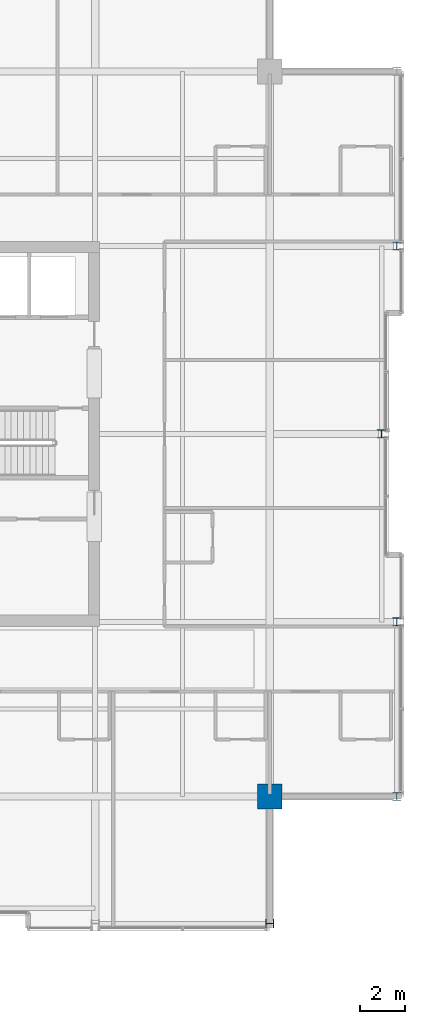
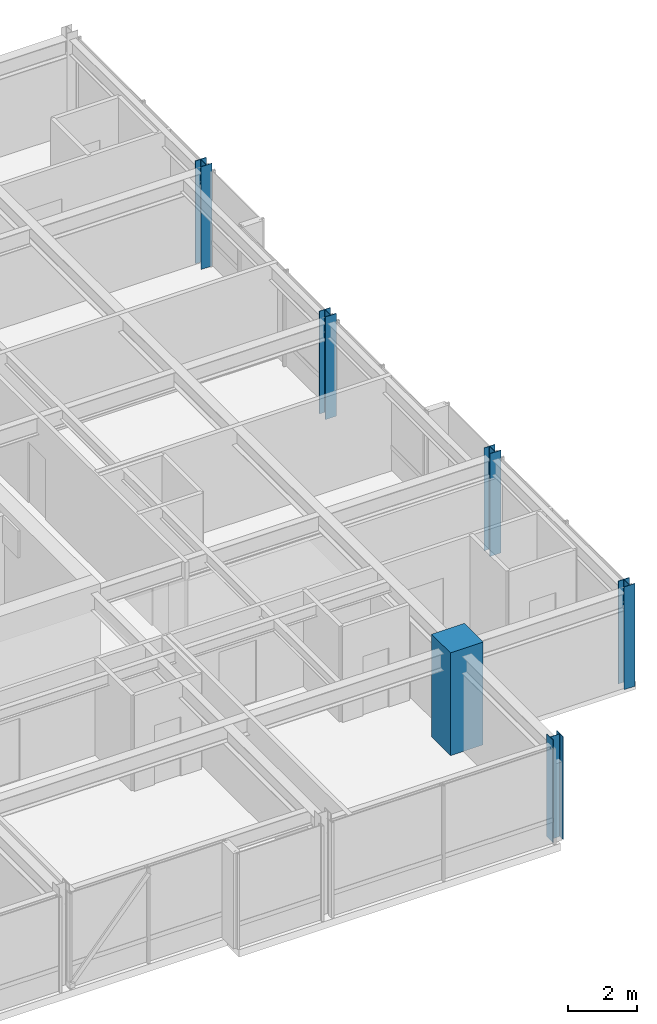
# One storey, part 2 of 34: 6 columns.
"""IFC4 building model written with IfcOpenShell, lengths in metres."""

from ifc_helpers import new_model, si_unit, direction, frame, origin, origin_2d, place, context, subcontext, project, spatial, rectangle, i_section, extrude, material, material_profile, profile_set, type_object, element, save


model = new_model("IFC4")

# Units and contexts
model_context = context("Model", 3, precision=1e-05, world=origin(), true_north=direction((0.0, 1.0)))
body_context = subcontext(model_context, "Body", "Model", "MODEL_VIEW")
ifc_project = project(units=[si_unit("LENGTHUNIT", "METRE"), si_unit("AREAUNIT", "SQUARE_METRE"), si_unit("VOLUMEUNIT", "CUBIC_METRE"), si_unit("PLANEANGLEUNIT", "RADIAN"), si_unit("MASSUNIT", "GRAM", prefix="KILO")], contexts=[model_context])

# Site, building, storey
site_placement = place(None, origin())
site = spatial("IfcSite", under=ifc_project, at=site_placement, CompositionType="ELEMENT")
building_placement = place(site_placement, origin())
building = spatial("IfcBuilding", under=site, at=building_placement, Name="Drelvath Grand Hotel", CompositionType="ELEMENT")
storey_placement = place(building_placement, frame((0.0, 0.0, 286.89990234375)))
storey = spatial("IfcBuildingStorey", under=building, at=storey_placement, Name="L75", CompositionType="ELEMENT", Elevation=286.89990234375)

# Columns
ifc_material_1 = material(Name="Concrete f'c 55 MPa", Category="concrete")
ifc_material_profile_1 = material_profile(ifc_material_1, rectangle(XDim=1.10009765625, YDim=1.10009765625, at=origin_2d()), Name="MC1100X1100")
ifc_profile_set_1 = profile_set([ifc_material_profile_1], Name="Concrete f'c 55 MPa")
column_type_1 = type_object("IfcColumnType", Name="Composite Mega Column MC1100X1100", PredefinedType="COLUMN", material=ifc_profile_set_1)
column_placement = place(storey_placement, frame((16.199951171875, 10.800048828125, 0.0), z_axis=(0.0, 0.0, 1.0), x_axis=(1.0, 0.0, 0.0)))
element("IfcColumn", 1, at=column_placement, inside=storey, type_object=column_type_1, Name="L75 Composite Mega Column MC-SE", PredefinedType="COLUMN", context=body_context, shape_type="SweptSolid", body=[
    extrude(rectangle(XDim=1.10009765625, YDim=1.10009765625, at=origin_2d()), origin(), (0.0, 0.0, 1.0), 3.650146484375),
])
ifc_material_2 = material(Name="Steel ASTM A913 Gr 65", Category="steel")
ifc_material_profile_2 = material_profile(ifc_material_2, i_section(OverallWidth=0.368896484375, OverallDepth=0.356201171875, WebThickness=0.01123046875, FlangeThickness=0.01806640625, FilletRadius=0.02490234375, at=origin_2d()), Name="W14X90")
ifc_profile_set_2 = profile_set([ifc_material_profile_2], Name="Steel ASTM A913 Gr 65")
column_type_2 = type_object("IfcColumnType", Name="Perimeter Steel Column W14X90", PredefinedType="COLUMN", material=ifc_profile_set_2)
for number, where, z_axis, x_axis, name in (
    (2, (21.8798828125, 10.800048828125, 0.0), (0.0, 0.0, 1.0), (1.0, 0.0, 0.0), "L75 Structural Column TCE-C"),
    (3, (21.8798828125, 18.60009765625, 0.0), (0.0, 0.0, 1.0), (1.0, 0.0, 0.0), "L75 Structural Column TCE-D"),
    (4, (21.199951171875, 27.0, 0.0), (0.0, 0.0, 1.0), (1.0, 0.0, 0.0), "L75 Structural Column TCE-E"),
    (5, (21.8798828125, 35.39990234375, 0.0), (0.0, 0.0, 1.0), (1.0, 0.0, 0.0), "L75 Structural Column TCE-F"),
    (6, (16.199951171875, 5.1201171875, 0.0), (0.0, 0.0, 1.0), (0.0, 1.0, 0.0), "L75 Structural Column TCS-7"),
):
    element("IfcColumn", number, at=place(storey_placement, frame(where, z_axis=z_axis, x_axis=x_axis)), inside=storey, type_object=column_type_2, Name=name, PredefinedType="COLUMN", context=body_context, shape_type="SweptSolid", body=[
        extrude(i_section(OverallWidth=0.368896484375, OverallDepth=0.356201171875, WebThickness=0.01123046875, FlangeThickness=0.01806640625, FilletRadius=0.02490234375, at=origin_2d()), origin(), (0.0, 0.0, 1.0), 3.647216796875),
    ])

save(model, "model.ifc")
